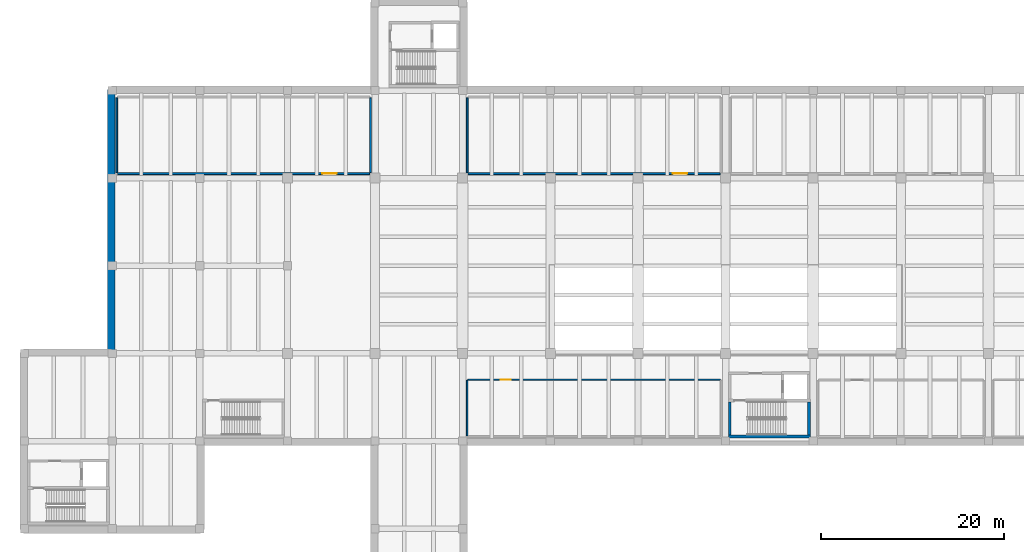
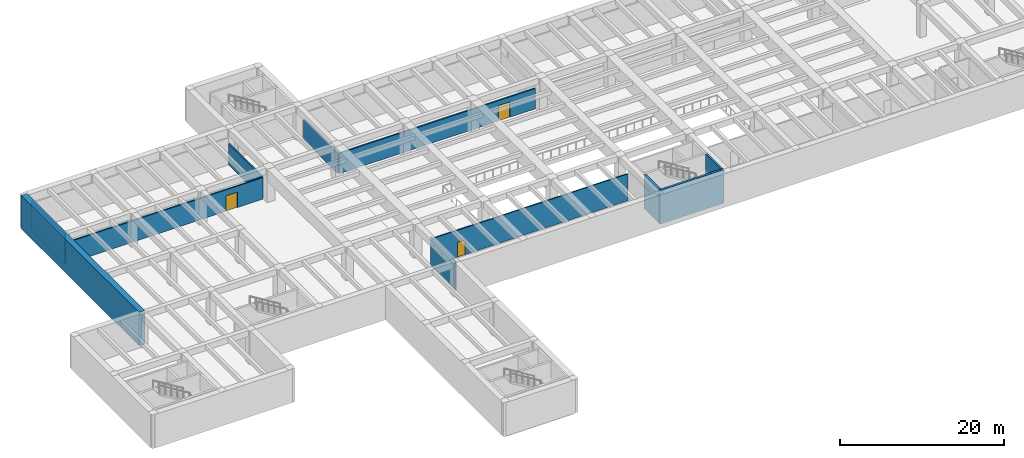
# One storey, part 5 of 19: 11 walls, 3 doors, 3 openings.
"""IFC4 building model written with IfcOpenShell, lengths in metres."""

from ifc_helpers import new_model, si_unit, direction, frame, frame_2d, origin, place, context, subcontext, project, spatial, rectangle, extrude, material, layer, layer_set, type_object, element, fill, save


model = new_model("IFC4")

# Units and contexts
model_context = context("Model", 3, precision=1e-05, world=origin(), true_north=direction((0.0, 1.0)))
body_context = subcontext(model_context, "Body", "Model", "MODEL_VIEW")
ifc_project = project(units=[si_unit("LENGTHUNIT", "METRE"), si_unit("AREAUNIT", "SQUARE_METRE"), si_unit("VOLUMEUNIT", "CUBIC_METRE"), si_unit("PLANEANGLEUNIT", "RADIAN"), si_unit("MASSUNIT", "GRAM", prefix="KILO")], contexts=[model_context])

# Site, building, storey
site_placement = place(None, origin())
site = spatial("IfcSite", under=ifc_project, at=site_placement, CompositionType="ELEMENT")
building_placement = place(site_placement, origin())
building = spatial("IfcBuilding", under=site, at=building_placement, Name="Coralgate Yard Interchange", CompositionType="ELEMENT")
storey_placement = place(building_placement, frame((0.0, 0.0, -5.39990234375)))
storey = spatial("IfcBuildingStorey", under=building, at=storey_placement, Name="B1", CompositionType="ELEMENT", Elevation=-5.39990234375)

# Walls
ifc_material_1 = material(Name="Concrete C40/50", Category="concrete")
ifc_layer_1 = layer(ifc_material_1, 0.300048828125)
ifc_layer_set_1 = layer_set([ifc_layer_1], Name="Concrete C40/50")
wall_type_1 = type_object("IfcWallType", Name="WAL-CW300", PredefinedType="SHEAR", material=ifc_layer_set_1)
wall_1_placement = place(storey_placement, frame((86.699951171875, 38.89990234375, 0.0), z_axis=(0.0, 0.0, 1.0), x_axis=(1.0, 0.0, 0.0)))
element("IfcWall", 1, at=wall_1_placement, inside=storey, type_object=wall_type_1, Name="C6 B1 stair south shear wall", PredefinedType="SHEAR", context=body_context, shape_type="SweptSolid", body=[
    extrude(rectangle(XDim=9.0, YDim=0.300048828125, at=frame_2d((4.5, 0.0))), origin(), (0.0, 0.0, 1.0), 5.0),
])
for number, where, z_axis, x_axis, name in (
    (2, (86.85009765625, 39.050048828125, 0.0), (0.0, 0.0, 1.0), (0.0, 1.0, 0.0), "C6 B1 stair west shear wall"),
    (3, (95.550048828125, 42.699951171875, 0.0), (0.0, 0.0, 1.0), (0.0, -1.0, 0.0), "C6 B1 stair east shear wall"),
):
    element("IfcWall", number, at=place(storey_placement, frame(where, z_axis=z_axis, x_axis=x_axis)), inside=storey, type_object=wall_type_1, Name=name, PredefinedType="SHEAR", context=body_context, shape_type="SweptSolid", body=[
        extrude(rectangle(XDim=3.64990234375, YDim=0.300048828125, at=frame_2d((1.824951171875, 0.0))), origin(), (0.0, 0.0, 1.0), 5.0),
    ])
ifc_layer_2 = layer(ifc_material_1, 0.800048828125)
ifc_layer_set_2 = layer_set([ifc_layer_2], Name="Concrete C40/50")
wall_type_2 = type_object("IfcWallType", Name="WAL-DW800", PredefinedType="SOLIDWALL", material=ifc_layer_set_2)
wall_2_placement = place(storey_placement, frame((19.10009765625, 48.10009765625, 0.0), z_axis=(0.0, 0.0, 1.0), x_axis=(0.0, 1.0, 0.0)))
element("IfcWall", 4, at=wall_2_placement, inside=storey, type_object=wall_type_2, Name="B1 diaphragm retaining wall 6", PredefinedType="SOLIDWALL", context=body_context, shape_type="SweptSolid", body=[
    extrude(rectangle(XDim=28.7998046875, YDim=0.800048828125, at=frame_2d((14.39990234375, 0.0))), origin(), (0.0, 0.0, 1.0), 5.0),
])

# Wall, opening, door
ifc_material_2 = material(Name="Fire-rated twin-stud gypsum partition")
ifc_layer_3 = layer(ifc_material_2, 0.159912109375)
ifc_layer_set_3 = layer_set([ifc_layer_3], Name="Fire-rated twin-stud gypsum partition")
wall_type_3 = type_object("IfcWallType", Name="WAL-PW-160", PredefinedType="PARTITIONING", material=ifc_layer_set_3)
wall_3_placement = place(storey_placement, frame((58.159912109375, 45.1201171875, 0.0), z_axis=(0.0, 0.0, 1.0), x_axis=(1.0, 0.0, 0.0)))
wall_3 = element("IfcWall", 5, at=wall_3_placement, inside=storey, type_object=wall_type_3, Name="Fare Gateline Control Office partition N", PredefinedType="PARTITIONING", context=body_context, shape_type="SweptSolid", body=[
    extrude(rectangle(XDim=27.68017578125, YDim=0.159912109375, at=frame_2d((13.840087890625, 0.0))), origin(), (0.0, 0.0, 1.0), 3.989990234375),
])
opening_1_placement = place(wall_3_placement, frame((3.60009765625, 0.0, 0.0)))
opening_1 = element("IfcOpeningElement", 6, at=opening_1_placement, cuts=wall_3, Name="Opening ID-04", PredefinedType="OPENING", context=body_context, shape_type="SweptSolid", body=[
    extrude(rectangle(XDim=1.10009765625, YDim=2.199951171875, at=frame_2d((0.550048828125, 1.10009765625))), frame((0.0, 0.08984375, 0.0), z_axis=(0.0, -1.0, 0.0), x_axis=(1.0, 0.0, 0.0)), (0.0, 0.0, 1.0), 0.179931640625),
])
ifc_material_3 = material(Name="Fire-resisting acoustic timber corridor door", Category="wood")
door_type_1 = type_object("IfcDoorType", Name="DOR-ID-04", OperationType="NOTDEFINED", PredefinedType="DOOR", material=ifc_material_3)
door_1_placement = place(opening_1_placement, origin())
door_1 = element("IfcDoor", 7, at=door_1_placement, inside=storey, type_object=door_type_1, Name="Fare Gateline Control Office door", OperationType="SINGLE_SWING_RIGHT", OverallHeight=2.199951171875, OverallWidth=1.10009765625, PredefinedType="DOOR", context=body_context, shape_type="SweptSolid", body=[
    extrude(rectangle(XDim=1.10009765625, YDim=2.199951171875, at=frame_2d((0.550048828125, 1.10009765625))), frame((0.0, 0.02490234375, 0.0), z_axis=(0.0, -1.0, 0.0), x_axis=(1.0, 0.0, 0.0)), (0.0, 0.0, 1.0), 0.050048828125),
])
fill(opening_1, door_1)

# Wall
wall_4_placement = place(storey_placement, frame((58.080078125, 38.9599609375, 0.0), z_axis=(0.0, 0.0, 1.0), x_axis=(0.0, 1.0, 0.0)))
element("IfcWall", 8, at=wall_4_placement, inside=storey, type_object=wall_type_3, Name="Fare Gateline Control Office partition W", PredefinedType="PARTITIONING", context=body_context, shape_type="SweptSolid", body=[
    extrude(rectangle(XDim=6.080078125, YDim=0.159912109375, at=frame_2d((3.0400390625, 0.0))), origin(), (0.0, 0.0, 1.0), 4.3798828125),
])

# Wall, opening, door
ifc_material_4 = material(Name="Concrete blockwork masonry", Category="masonry")
ifc_layer_4 = layer(ifc_material_4, 0.199951171875)
ifc_layer_set_4 = layer_set([ifc_layer_4], Name="Concrete blockwork masonry")
wall_type_4 = type_object("IfcWallType", Name="WAL-PW-200", PredefinedType="PARTITIONING", material=ifc_layer_set_4)
wall_5_placement = place(storey_placement, frame((47.39990234375, 67.699951171875, 0.0), z_axis=(0.0, 0.0, 1.0), x_axis=(-1.0, 0.0, 0.0)))
wall_5 = element("IfcWall", 9, at=wall_5_placement, inside=storey, type_object=wall_type_4, Name="Traction Rectifier Substation partition S", PredefinedType="PARTITIONING", context=body_context, shape_type="SweptSolid", body=[
    extrude(rectangle(XDim=27.599853515625, YDim=0.199951171875, at=frame_2d((13.7998046875, 0.0))), origin(), (0.0, 0.0, 1.0), 3.18994140625),
])
opening_2_placement = place(wall_5_placement, frame((3.60009765625, 0.0, 0.0)))
opening_2 = element("IfcOpeningElement", 10, at=opening_2_placement, cuts=wall_5, Name="Opening ID-07", PredefinedType="OPENING", context=body_context, shape_type="SweptSolid", body=[
    extrude(rectangle(XDim=1.60009765625, YDim=2.300048828125, at=frame_2d((0.800048828125, 1.14990234375))), frame((0.0, 0.10986328125, 0.0), z_axis=(0.0, -1.0, 0.0), x_axis=(1.0, 0.0, 0.0)), (0.0, 0.0, 1.0), 0.219970703125),
])
ifc_material_5 = material(Name="Powder-coated steel substation and plant double fire door", Category="steel")
door_type_2 = type_object("IfcDoorType", Name="DOR-ID-07", OperationType="NOTDEFINED", PredefinedType="DOOR", material=ifc_material_5)
door_2_placement = place(opening_2_placement, origin())
door_2 = element("IfcDoor", 11, at=door_2_placement, inside=storey, type_object=door_type_2, Name="Traction Rectifier Substation door", OperationType="DOUBLE_DOOR_SINGLE_SWING", OverallHeight=2.300048828125, OverallWidth=1.60009765625, PredefinedType="DOOR", context=body_context, shape_type="SweptSolid", body=[
    extrude(rectangle(XDim=1.60009765625, YDim=2.300048828125, at=frame_2d((0.800048828125, 1.14990234375))), frame((0.0, 0.02490234375, 0.0), z_axis=(0.0, -1.0, 0.0), x_axis=(1.0, 0.0, 0.0)), (0.0, 0.0, 1.0), 0.050048828125),
])
fill(opening_2, door_2)

# Walls
wall_6_placement = place(storey_placement, frame((19.699951171875, 67.800048828125, 0.0), z_axis=(0.0, 0.0, 1.0), x_axis=(0.0, 1.0, 0.0)))
element("IfcWall", 12, at=wall_6_placement, inside=storey, type_object=wall_type_4, Name="Traction Rectifier Substation partition W", PredefinedType="PARTITIONING", context=body_context, shape_type="SweptSolid", body=[
    extrude(rectangle(XDim=8.199951171875, YDim=0.199951171875, at=frame_2d((4.10009765625, 0.0))), origin(), (0.0, 0.0, 1.0), 4.3798828125),
])
wall_7_placement = place(storey_placement, frame((47.5, 76.0, 0.0), z_axis=(0.0, 0.0, 1.0), x_axis=(0.0, -1.0, 0.0)))
element("IfcWall", 13, at=wall_7_placement, inside=storey, type_object=wall_type_4, Name="Traction Rectifier Substation partition E", PredefinedType="PARTITIONING", context=body_context, shape_type="SweptSolid", body=[
    extrude(rectangle(XDim=8.199951171875, YDim=0.199951171875, at=frame_2d((4.10009765625, 0.0))), origin(), (0.0, 0.0, 1.0), 3.18994140625),
])

# Wall, opening, door
wall_8_placement = place(storey_placement, frame((85.800048828125, 67.699951171875, 0.0), z_axis=(0.0, 0.0, 1.0), x_axis=(-1.0, 0.0, 0.0)))
wall_8 = element("IfcWall", 14, at=wall_8_placement, inside=storey, type_object=wall_type_4, Name="11 kV High-Voltage Switchgear Room partition S", PredefinedType="PARTITIONING", context=body_context, shape_type="SweptSolid", body=[
    extrude(rectangle(XDim=27.60009765625, YDim=0.199951171875, at=frame_2d((13.800048828125, 0.0))), origin(), (0.0, 0.0, 1.0), 3.039794921875),
])
opening_3_placement = place(wall_8_placement, frame((3.60009765625, 0.0, 0.0)))
opening_3 = element("IfcOpeningElement", 15, at=opening_3_placement, cuts=wall_8, Name="Opening ID-07", PredefinedType="OPENING", context=body_context, shape_type="SweptSolid", body=[
    extrude(rectangle(XDim=1.60009765625, YDim=2.300048828125, at=frame_2d((0.800048828125, 1.14990234375))), frame((0.0, 0.10986328125, 0.0), z_axis=(0.0, -1.0, 0.0), x_axis=(1.0, 0.0, 0.0)), (0.0, 0.0, 1.0), 0.219970703125),
])
door_3_placement = place(opening_3_placement, origin())
door_3 = element("IfcDoor", 16, at=door_3_placement, inside=storey, type_object=door_type_2, Name="11 kV High-Voltage Switchgear Room door", OperationType="DOUBLE_DOOR_SINGLE_SWING", OverallHeight=2.300048828125, OverallWidth=1.60009765625, PredefinedType="DOOR", context=body_context, shape_type="SweptSolid", body=[
    extrude(rectangle(XDim=1.60009765625, YDim=2.300048828125, at=frame_2d((0.800048828125, 1.14990234375))), frame((0.0, 0.02490234375, 0.0), z_axis=(0.0, -1.0, 0.0), x_axis=(1.0, 0.0, 0.0)), (0.0, 0.0, 1.0), 0.050048828125),
])
fill(opening_3, door_3)

# Wall
wall_9_placement = place(storey_placement, frame((58.10009765625, 67.800048828125, 0.0), z_axis=(0.0, 0.0, 1.0), x_axis=(0.0, 1.0, 0.0)))
element("IfcWall", 17, at=wall_9_placement, inside=storey, type_object=wall_type_4, Name="11 kV High-Voltage Switchgear Room partition W", PredefinedType="PARTITIONING", context=body_context, shape_type="SweptSolid", body=[
    extrude(rectangle(XDim=8.199951171875, YDim=0.199951171875, at=frame_2d((4.10009765625, 0.0))), origin(), (0.0, 0.0, 1.0), 3.039794921875),
])

save(model, "model.ifc")
